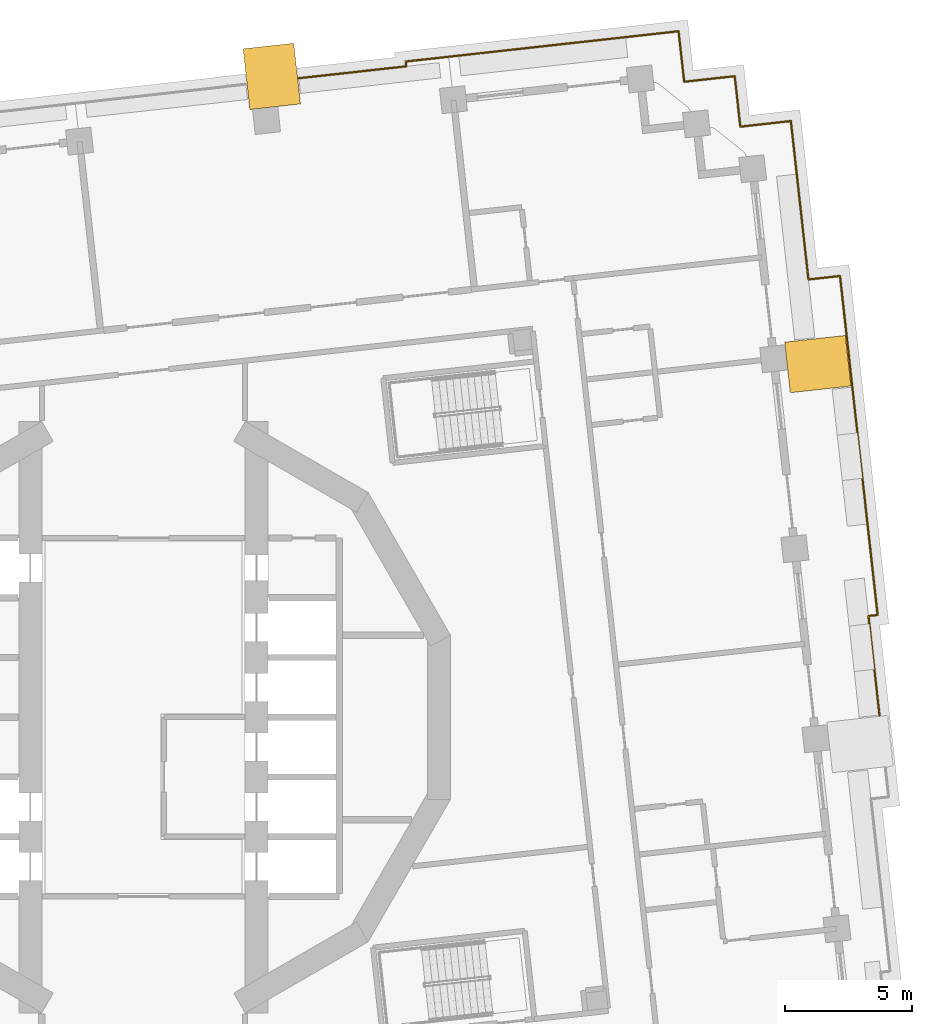
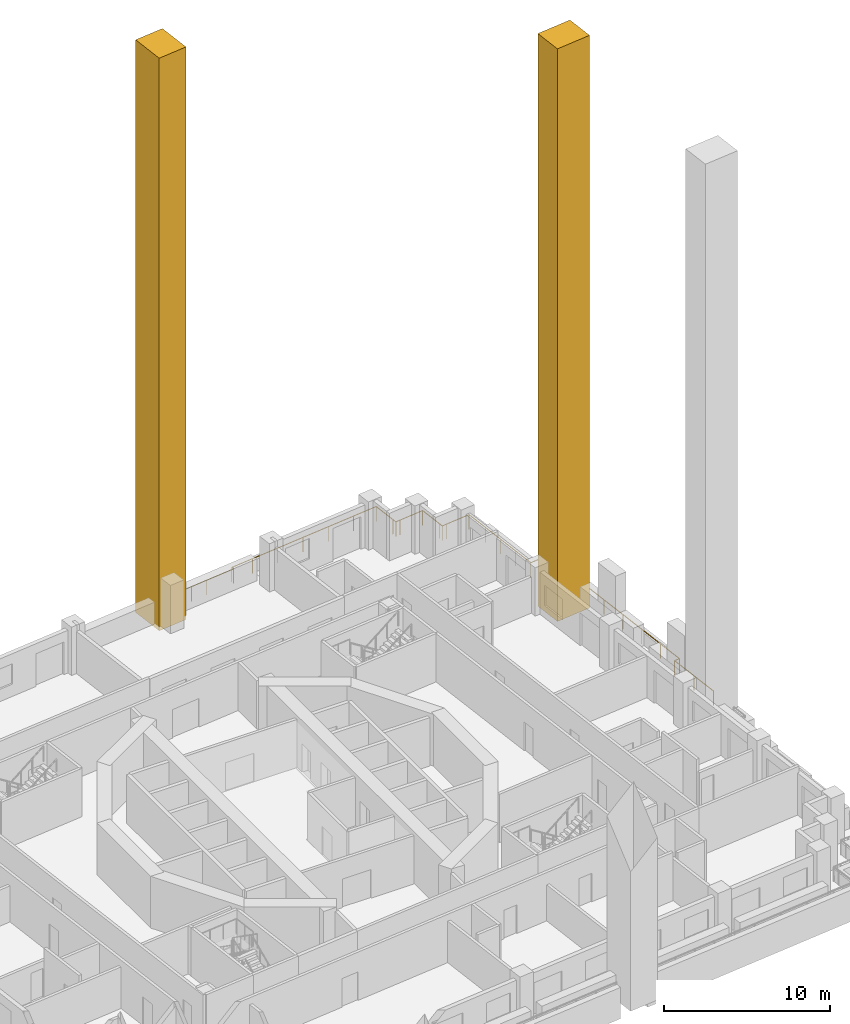
# One storey, part 19 of 20: 2 coverings, 2 railings.
"""IFC4 building model written with IfcOpenShell, lengths in metres."""

from ifc_helpers import new_model, si_unit, direction, frame, origin, origin_2d, place, context, subcontext, project, spatial, rectangle, circle, extrude, material, type_object, element, save


model = new_model("IFC4")

# Units and contexts
model_context = context("Model", 3, precision=1e-05, world=origin(), true_north=direction((0.0, 1.0)))
body_context = subcontext(model_context, "Body", "Model", "MODEL_VIEW")
ifc_project = project(units=[si_unit("LENGTHUNIT", "METRE"), si_unit("AREAUNIT", "SQUARE_METRE"), si_unit("VOLUMEUNIT", "CUBIC_METRE"), si_unit("PLANEANGLEUNIT", "RADIAN"), si_unit("MASSUNIT", "GRAM", prefix="KILO")], contexts=[model_context])

# Site, building, storey
site_placement = place(None, origin())
site = spatial("IfcSite", under=ifc_project, at=site_placement, CompositionType="ELEMENT")
building_placement = place(site_placement, origin())
building = spatial("IfcBuilding", under=site, at=building_placement, Name="Cantera Rosa Tower", CompositionType="ELEMENT")
storey_placement = place(building_placement, frame((0.0, 0.0, 42.5)))
storey = spatial("IfcBuildingStorey", under=building, at=storey_placement, Name="L07", CompositionType="ELEMENT", Elevation=42.5)

# Railings
ifc_material_1 = material(Name="Stainless steel and laminated glass", Category="steel")
railing_type = type_object("IfcRailingType", Name="GUARD 1100", PredefinedType="BALUSTRADE", material=ifc_material_1)
railing_1_placement = place(storey_placement, frame((25.46826171875, 23.45263671875, 0.0)))
element("IfcRailing", 1, at=railing_1_placement, inside=storey, type_object=railing_type, Name="GUARD L07-9", PredefinedType="BALUSTRADE", context=body_context, shape_type="SweptSolid", body=[
    extrude(circle(Radius=0.030029296875, at=origin_2d()), frame((0.0, 0.0, 1.070068359375), z_axis=(0.110289669906, -0.993899486222, 0.0), x_axis=(0.993899486222, 0.110289669906, 0.0)), (0.0, 0.0, 1.0), 1.699951171875),
    extrude(circle(Radius=0.030029296875, at=origin_2d()), frame((0.1875, -1.689697265625, 1.070068359375), z_axis=(0.110355311719, -0.993892199977, 0.0), x_axis=(0.993892199977, 0.110355311719, 0.0)), (0.0, 0.0, 1.0), 4.570556640625),
    extrude(circle(Radius=0.030029296875, at=origin_2d()), frame((0.69189453125, -6.232421875, 1.070068359375), z_axis=(0.993886117565, 0.110410077944, 0.0), x_axis=(-0.110410077944, 0.993886117565, 0.0)), (0.0, 0.0, 1.0), 1.249267578125),
    extrude(circle(Radius=0.030029296875, at=origin_2d()), frame((1.93359375, -6.094482421875, 1.070068359375), z_axis=(0.110309714757, -0.993897261708, 0.0), x_axis=(0.993897261708, 0.110309714757, 0.0)), (0.0, 0.0, 1.0), 13.418701171875),
    extrude(circle(Radius=0.030029296875, at=origin_2d()), frame((3.413818359375, -19.431396484375, 1.070068359375), z_axis=(-0.993859025053, -0.110653686428, 0.0), x_axis=(0.110653686428, -0.993859025053, 0.0)), (0.0, 0.0, 1.0), 0.36181640625),
    extrude(circle(Radius=0.030029296875, at=origin_2d()), frame((3.05419921875, -19.471435546875, 1.070068359375), z_axis=(0.11028192342, -0.993900345793, 0.0), x_axis=(0.993900345793, 0.11028192342, 0.0)), (0.0, 0.0, 1.0), 3.9404296875),
    extrude(circle(Radius=0.02490234375, at=origin_2d()), origin(), (0.0, 0.0, 1.0), 1.0400390625),
    extrude(circle(Radius=0.02490234375, at=origin_2d()), frame((0.1875, -1.689697265625, 0.0)), (0.0, 0.0, 1.0), 1.0400390625),
    extrude(circle(Radius=0.02490234375, at=origin_2d()), frame((0.355712890625, -3.203857421875, 0.0)), (0.0, 0.0, 1.0), 1.0400390625),
    extrude(circle(Radius=0.02490234375, at=origin_2d()), frame((0.523681640625, -4.71826171875, 0.0)), (0.0, 0.0, 1.0), 1.0400390625),
    extrude(circle(Radius=0.02490234375, at=origin_2d()), frame((0.69189453125, -6.232421875, 0.0)), (0.0, 0.0, 1.0), 1.0400390625),
    extrude(circle(Radius=0.02490234375, at=origin_2d()), frame((1.93359375, -6.094482421875, 0.0)), (0.0, 0.0, 1.0), 1.0400390625),
    extrude(circle(Radius=0.02490234375, at=origin_2d()), frame((2.14501953125, -7.999755859375, 0.0)), (0.0, 0.0, 1.0), 1.0400390625),
    extrude(circle(Radius=0.02490234375, at=origin_2d()), frame((2.3564453125, -9.905029296875, 0.0)), (0.0, 0.0, 1.0), 1.0400390625),
    extrude(circle(Radius=0.02490234375, at=origin_2d()), frame((2.56787109375, -11.810302734375, 0.0)), (0.0, 0.0, 1.0), 1.0400390625),
    extrude(circle(Radius=0.02490234375, at=origin_2d()), frame((2.779541015625, -13.715576171875, 0.0)), (0.0, 0.0, 1.0), 1.0400390625),
    extrude(circle(Radius=0.02490234375, at=origin_2d()), frame((2.990966796875, -15.620849609375, 0.0)), (0.0, 0.0, 1.0), 1.0400390625),
    extrude(circle(Radius=0.02490234375, at=origin_2d()), frame((3.202392578125, -17.526123046875, 0.0)), (0.0, 0.0, 1.0), 1.0400390625),
    extrude(circle(Radius=0.02490234375, at=origin_2d()), frame((3.413818359375, -19.431396484375, 0.0)), (0.0, 0.0, 1.0), 1.0400390625),
    extrude(circle(Radius=0.02490234375, at=origin_2d()), frame((3.05419921875, -19.471435546875, 0.0)), (0.0, 0.0, 1.0), 1.0400390625),
    extrude(circle(Radius=0.02490234375, at=origin_2d()), frame((3.271484375, -21.4296875, 0.0)), (0.0, 0.0, 1.0), 1.0400390625),
    extrude(circle(Radius=0.02490234375, at=origin_2d()), frame((3.48876953125, -23.387939453125, 0.0)), (0.0, 0.0, 1.0), 1.0400390625),
])
railing_2_placement = place(storey_placement, frame((6.094482421875, 25.135498046875, 0.0)))
element("IfcRailing", 2, at=railing_2_placement, inside=storey, type_object=railing_type, Name="GUARD L07-10", PredefinedType="BALUSTRADE", context=body_context, shape_type="SweptSolid", body=[
    extrude(circle(Radius=0.030029296875, at=origin_2d()), frame((0.0, 0.0, 1.070068359375), z_axis=(0.993894419612, 0.110335319209, 0.0), x_axis=(-0.110335319209, 0.993894419612, 0.0)), (0.0, 0.0, 1.0), 2.228271484375),
    extrude(circle(Radius=0.030029296875, at=origin_2d()), frame((2.214599609375, 0.245849609375, 1.070068359375), z_axis=(0.993895415911, 0.110326344227, 0.0), x_axis=(-0.110326344227, 0.993895415911, 0.0)), (0.0, 0.0, 1.0), 2.0380859375),
    extrude(circle(Radius=0.030029296875, at=origin_2d()), frame((4.240234375, 0.470703125, 1.070068359375), z_axis=(0.989949493661, 0.141421356237, 0.0), x_axis=(-0.141421356237, 0.989949493661, 0.0)), (0.0, 0.0, 1.0), 0.00341796875),
    extrude(circle(Radius=0.030029296875, at=origin_2d()), frame((4.24365234375, 0.47119140625, 1.070068359375), z_axis=(0.0, 1.0, 0.0), x_axis=(-1.0, 0.0, 0.0)), (0.0, 0.0, 1.0), 0.0029296875),
    extrude(circle(Radius=0.030029296875, at=origin_2d()), frame((4.24365234375, 0.47412109375, 1.070068359375), z_axis=(-0.110860962824, 0.993835925554, 0.0), x_axis=(-0.993835925554, -0.110860962824, 0.0)), (0.0, 0.0, 1.0), 0.187255859375),
    extrude(circle(Radius=0.030029296875, at=origin_2d()), frame((4.222900390625, 0.66015625, 1.070068359375), z_axis=(0.994002581862, 0.109356605886, 0.0), x_axis=(-0.109356605886, 0.994002581862, 0.0)), (0.0, 0.0, 1.0), 0.149658203125),
    extrude(circle(Radius=0.030029296875, at=origin_2d()), frame((4.37158203125, 0.676513671875, 1.070068359375), z_axis=(0.894427191, 0.4472135955, 0.0), x_axis=(-0.4472135955, 0.894427191, 0.0)), (0.0, 0.0, 1.0), 0.00048828125),
    extrude(circle(Radius=0.030029296875, at=origin_2d()), frame((4.3720703125, 0.6767578125, 1.070068359375), z_axis=(0.993907107528, 0.11022096718, 0.0), x_axis=(-0.11022096718, 0.993907107528, 0.0)), (0.0, 0.0, 1.0), 1.39990234375),
    extrude(circle(Radius=0.030029296875, at=origin_2d()), frame((5.763427734375, 0.8310546875, 1.070068359375), z_axis=(0.993898316912, 0.11030020689, 0.0), x_axis=(-0.11030020689, 0.993898316912, 0.0)), (0.0, 0.0, 1.0), 7.550048828125),
    extrude(circle(Radius=0.030029296875, at=origin_2d()), frame((13.267333984375, 1.663818359375, 1.070068359375), z_axis=(0.993883734674, 0.110431526075, 0.0), x_axis=(-0.110431526075, 0.993883734674, 0.0)), (0.0, 0.0, 1.0), 1.7001953125),
    extrude(circle(Radius=0.030029296875, at=origin_2d()), frame((14.95703125, 1.8515625, 1.070068359375), z_axis=(0.110289669906, -0.993899486222, 0.0), x_axis=(0.993899486222, 0.110289669906, 0.0)), (0.0, 0.0, 1.0), 1.699951171875),
    extrude(circle(Radius=0.030029296875, at=origin_2d()), frame((15.14453125, 0.161865234375, 1.070068359375), z_axis=(0.110699535641, -0.99385391925, 0.0), x_axis=(0.99385391925, 0.110699535641, 0.0)), (0.0, 0.0, 1.0), 0.300048828125),
    extrude(circle(Radius=0.030029296875, at=origin_2d()), frame((15.177734375, -0.13623046875, 1.070068359375), z_axis=(0.993943154022, 0.10989543472, 0.0), x_axis=(-0.10989543472, 0.993943154022, 0.0)), (0.0, 0.0, 1.0), 0.2998046875),
    extrude(circle(Radius=0.030029296875, at=origin_2d()), frame((15.475830078125, -0.103271484375, 1.070068359375), z_axis=(0.993899486222, 0.110289669906, 0.0), x_axis=(-0.110289669906, 0.993899486222, 0.0)), (0.0, 0.0, 1.0), 1.699951171875),
    extrude(circle(Radius=0.030029296875, at=origin_2d()), frame((17.16552734375, 0.084228515625, 1.070068359375), z_axis=(0.110305413813, -0.993897739047, 0.0), x_axis=(0.993897739047, 0.110305413813, 0.0)), (0.0, 0.0, 1.0), 1.69970703125),
    extrude(circle(Radius=0.030029296875, at=origin_2d()), frame((17.35302734375, -1.605224609375, 1.070068359375), z_axis=(0.1098065887, -0.993952973273, 0.0), x_axis=(0.993952973273, 0.1098065887, 0.0)), (0.0, 0.0, 1.0), 0.300048828125),
    extrude(circle(Radius=0.030029296875, at=origin_2d()), frame((17.385986328125, -1.903564453125, 1.070068359375), z_axis=(0.993863881828, 0.110610055588, 0.0), x_axis=(-0.110610055588, 0.993863881828, 0.0)), (0.0, 0.0, 1.0), 0.30029296875),
    extrude(circle(Radius=0.030029296875, at=origin_2d()), frame((17.684326171875, -1.870361328125, 1.070068359375), z_axis=(0.993897739047, 0.110305413813, 0.0), x_axis=(-0.110305413813, 0.993897739047, 0.0)), (0.0, 0.0, 1.0), 1.69970703125),
    extrude(circle(Radius=0.02490234375, at=origin_2d()), origin(), (0.0, 0.0, 1.0), 1.0400390625),
    extrude(circle(Radius=0.02490234375, at=origin_2d()), frame((1.107421875, 0.123046875, 0.0)), (0.0, 0.0, 1.0), 1.0400390625),
    extrude(circle(Radius=0.02490234375, at=origin_2d()), frame((2.214599609375, 0.245849609375, 0.0)), (0.0, 0.0, 1.0), 1.0400390625),
    extrude(circle(Radius=0.02490234375, at=origin_2d()), frame((4.240234375, 0.470703125, 0.0)), (0.0, 0.0, 1.0), 1.0400390625),
    extrude(circle(Radius=0.02490234375, at=origin_2d()), frame((4.24365234375, 0.47119140625, 0.0)), (0.0, 0.0, 1.0), 1.0400390625),
    extrude(circle(Radius=0.02490234375, at=origin_2d()), frame((4.24365234375, 0.47412109375, 0.0)), (0.0, 0.0, 1.0), 1.0400390625),
    extrude(circle(Radius=0.02490234375, at=origin_2d()), frame((4.222900390625, 0.66015625, 0.0)), (0.0, 0.0, 1.0), 1.0400390625),
    extrude(circle(Radius=0.02490234375, at=origin_2d()), frame((4.37158203125, 0.676513671875, 0.0)), (0.0, 0.0, 1.0), 1.0400390625),
    extrude(circle(Radius=0.02490234375, at=origin_2d()), frame((4.3720703125, 0.6767578125, 0.0)), (0.0, 0.0, 1.0), 1.0400390625),
    extrude(circle(Radius=0.02490234375, at=origin_2d()), frame((5.763427734375, 0.8310546875, 0.0)), (0.0, 0.0, 1.0), 1.0400390625),
    extrude(circle(Radius=0.02490234375, at=origin_2d()), frame((7.639404296875, 1.039306640625, 0.0)), (0.0, 0.0, 1.0), 1.0400390625),
    extrude(circle(Radius=0.02490234375, at=origin_2d()), frame((9.515380859375, 1.24755859375, 0.0)), (0.0, 0.0, 1.0), 1.0400390625),
    extrude(circle(Radius=0.02490234375, at=origin_2d()), frame((11.391357421875, 1.45556640625, 0.0)), (0.0, 0.0, 1.0), 1.0400390625),
    extrude(circle(Radius=0.02490234375, at=origin_2d()), frame((13.267333984375, 1.663818359375, 0.0)), (0.0, 0.0, 1.0), 1.0400390625),
    extrude(circle(Radius=0.02490234375, at=origin_2d()), frame((14.95703125, 1.8515625, 0.0)), (0.0, 0.0, 1.0), 1.0400390625),
    extrude(circle(Radius=0.02490234375, at=origin_2d()), frame((15.14453125, 0.161865234375, 0.0)), (0.0, 0.0, 1.0), 1.0400390625),
    extrude(circle(Radius=0.02490234375, at=origin_2d()), frame((15.177734375, -0.13623046875, 0.0)), (0.0, 0.0, 1.0), 1.0400390625),
    extrude(circle(Radius=0.02490234375, at=origin_2d()), frame((15.475830078125, -0.103271484375, 0.0)), (0.0, 0.0, 1.0), 1.0400390625),
    extrude(circle(Radius=0.02490234375, at=origin_2d()), frame((17.16552734375, 0.084228515625, 0.0)), (0.0, 0.0, 1.0), 1.0400390625),
    extrude(circle(Radius=0.02490234375, at=origin_2d()), frame((17.35302734375, -1.605224609375, 0.0)), (0.0, 0.0, 1.0), 1.0400390625),
    extrude(circle(Radius=0.02490234375, at=origin_2d()), frame((17.385986328125, -1.903564453125, 0.0)), (0.0, 0.0, 1.0), 1.0400390625),
    extrude(circle(Radius=0.02490234375, at=origin_2d()), frame((17.684326171875, -1.870361328125, 0.0)), (0.0, 0.0, 1.0), 1.0400390625),
    extrude(circle(Radius=0.02490234375, at=origin_2d()), frame((19.373779296875, -1.682861328125, 0.0)), (0.0, 0.0, 1.0), 1.0400390625),
])

# Coverings
ifc_material_2 = material(Name="Cantera stone", Category="masonry")
covering_type = type_object("IfcCoveringType", Name="STONE FIN 2000x2400", PredefinedType="CLADDING", material=ifc_material_2)
for number, where, z_axis, x_axis, name in (
    (3, (26.529541015625, 13.891357421875, -0.300048828125), (0.0, 0.0, 1.0), (-0.110312555526, 0.993896946415, 0.0), "STONE FIN FN-Z1-02"),
    (4, (5.0498046875, 25.2109375, -0.300048828125), (0.0, 0.0, 1.0), (-0.993896946415, -0.110312555526, 0.0), "STONE FIN FN-Z1-03"),
):
    element("IfcCovering", number, at=place(storey_placement, frame(where, z_axis=z_axis, x_axis=x_axis)), inside=storey, type_object=covering_type, Name=name, PredefinedType="CLADDING", context=body_context, shape_type="SweptSolid", body=[
        extrude(rectangle(XDim=2.0, YDim=2.39990234375, at=origin_2d()), origin(), (0.0, 0.0, 1.0), 42.10009765625),
    ])

save(model, "model.ifc")
